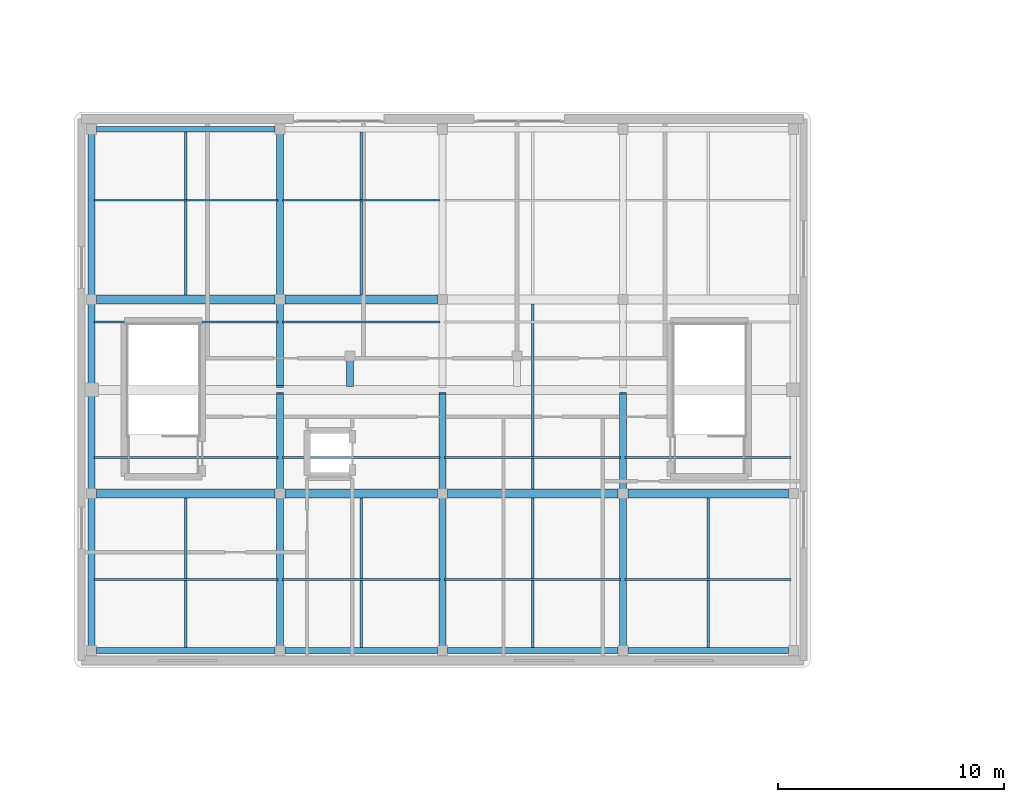
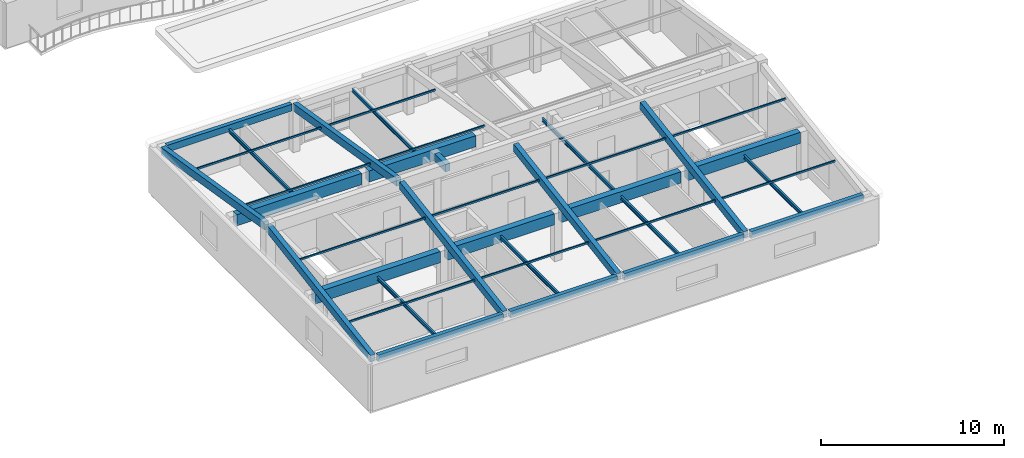
# One storey, part 4 of 128: 25 beams, 12 members.
"""IFC4 building model written with IfcOpenShell, lengths in metres."""

from ifc_helpers import new_model, si_unit, direction, frame, origin, origin_2d, place, context, subcontext, project, spatial, rectangle, hollow_rectangle, i_section, extrude, material, material_profile, profile_set, type_object, element, save


model = new_model("IFC4")

# Units and contexts
model_context = context("Model", 3, precision=1e-05, world=origin(), true_north=direction((0.0, 1.0)))
body_context = subcontext(model_context, "Body", "Model", "MODEL_VIEW")
ifc_project = project(units=[si_unit("LENGTHUNIT", "METRE"), si_unit("AREAUNIT", "SQUARE_METRE"), si_unit("VOLUMEUNIT", "CUBIC_METRE"), si_unit("PLANEANGLEUNIT", "RADIAN"), si_unit("MASSUNIT", "GRAM", prefix="KILO")], contexts=[model_context])

# Site, building, storey
site_placement = place(None, origin())
site = spatial("IfcSite", under=ifc_project, at=site_placement, CompositionType="ELEMENT")
building_placement = place(site_placement, origin())
building = spatial("IfcBuilding", under=site, at=building_placement, Name="Keldmere Railside Commons", CompositionType="ELEMENT")
storey_placement = place(building_placement, frame((0.0, 0.0, 4.159912109375)))
storey = spatial("IfcBuildingStorey", under=building, at=storey_placement, Name="L01", CompositionType="ELEMENT", Elevation=4.159912109375)

# Beams
ifc_material_1 = material(Name="Concrete H-35 (C35/45)", Category="concrete")
ifc_material_profile_1 = material_profile(ifc_material_1, rectangle(XDim=0.39990234375, YDim=0.75, at=origin_2d()), Name="RC-400x750")
ifc_profile_set_1 = profile_set([ifc_material_profile_1], Name="Concrete H-35 (C35/45)")
beam_type_1 = type_object("IfcBeamType", Name="Civic Frame RC Girder 400x750", PredefinedType="BEAM", material=ifc_profile_set_1)
beam_1_placement = place(storey_placement, frame((8.675048828125, 23.39990234375, 2.8251953125), z_axis=(1.0, 0.0, 0.0), x_axis=(0.0, 1.0, 0.0)))
element("IfcBeam", 1, at=beam_1_placement, inside=storey, type_object=beam_type_1, Name="BG-2 BM-L01-0757", PredefinedType="BEAM", context=body_context, shape_type="SweptSolid", body=[
    extrude(rectangle(XDim=0.39990234375, YDim=0.75, at=origin_2d()), origin(), (0.0, 0.0, 1.0), 7.89990234375),
])
beam_2_placement = place(storey_placement, frame((17.02490234375, 23.39990234375, 2.8251953125), z_axis=(1.0, 0.0, 0.0), x_axis=(0.0, 1.0, 0.0)))
element("IfcBeam", 2, at=beam_2_placement, inside=storey, type_object=beam_type_1, Name="BG-2 BM-L01-0758", PredefinedType="BEAM", context=body_context, shape_type="SweptSolid", body=[
    extrude(rectangle(XDim=0.39990234375, YDim=0.75, at=origin_2d()), origin(), (0.0, 0.0, 1.0), 6.75),
])
beam_3_placement = place(storey_placement, frame((24.22509765625, 23.39990234375, 2.8251953125), z_axis=(1.0, 0.0, 0.0), x_axis=(0.0, 1.0, 0.0)))
element("IfcBeam", 3, at=beam_3_placement, inside=storey, type_object=beam_type_1, Name="BG-2 BM-L01-0759", PredefinedType="BEAM", context=body_context, shape_type="SweptSolid", body=[
    extrude(rectangle(XDim=0.39990234375, YDim=0.75, at=origin_2d()), origin(), (0.0, 0.0, 1.0), 7.5498046875),
])
beam_4_placement = place(storey_placement, frame((32.22509765625, 23.39990234375, 2.8251953125), z_axis=(1.0, 0.0, 0.0), x_axis=(0.0, 1.0, 0.0)))
element("IfcBeam", 4, at=beam_4_placement, inside=storey, type_object=beam_type_1, Name="BG-2 BM-L01-0760", PredefinedType="BEAM", context=body_context, shape_type="SweptSolid", body=[
    extrude(rectangle(XDim=0.39990234375, YDim=0.75, at=origin_2d()), origin(), (0.0, 0.0, 1.0), 7.099853515625),
])
beam_5_placement = place(storey_placement, frame((8.675048828125, 32.0, 2.8251953125), z_axis=(1.0, 0.0, 0.0), x_axis=(0.0, 1.0, 0.0)))
element("IfcBeam", 5, at=beam_5_placement, inside=storey, type_object=beam_type_1, Name="BG-2 BM-L01-0766", PredefinedType="BEAM", context=body_context, shape_type="SweptSolid", body=[
    extrude(rectangle(XDim=0.39990234375, YDim=0.75, at=origin_2d()), origin(), (0.0, 0.0, 1.0), 7.89990234375),
])
beam_6_placement = place(storey_placement, frame((17.02490234375, 32.0, 2.8251953125), z_axis=(1.0, 0.0, 0.0), x_axis=(0.0, 1.0, 0.0)))
element("IfcBeam", 6, at=beam_6_placement, inside=storey, type_object=beam_type_1, Name="BG-2 BM-L01-0767", PredefinedType="BEAM", context=body_context, shape_type="SweptSolid", body=[
    extrude(rectangle(XDim=0.39990234375, YDim=0.75, at=origin_2d()), origin(), (0.0, 0.0, 1.0), 6.75),
])
ifc_material_2 = material(Name="Steel F-36 (S355)", Category="steel")
ifc_material_profile_2 = material_profile(ifc_material_2, i_section(OverallWidth=0.1201171875, OverallDepth=0.239990234375, WebThickness=0.006103515625, FlangeThickness=0.009765625, at=origin_2d()), Name="IPE-240")
ifc_profile_set_2 = profile_set([ifc_material_profile_2], Name="Steel F-36 (S355)")
beam_type_2 = type_object("IfcBeamType", Name="Nursery & Mezzanine Steel Joist IPE240", PredefinedType="JOIST", material=ifc_profile_set_2)
for number, where, z_axis, x_axis, name in (
    (7, (12.625, 16.574951171875, 2.81005859375), (0.0, 1.0, 0.0), (-1.0, 0.0, 0.0), "JST-2 BM-L01-0986"),
    (8, (20.39990234375, 16.574951171875, 2.81005859375), (0.0, 1.0, 0.0), (-1.0, 0.0, 0.0), "JST-2 BM-L01-0987"),
    (9, (28.0, 16.574951171875, 2.81005859375), (0.0, 1.0, 0.0), (-1.0, 0.0, 0.0), "JST-2 BM-L01-0988"),
    (10, (35.77490234375, 16.574951171875, 2.81005859375), (0.0, 1.0, 0.0), (-1.0, 0.0, 0.0), "JST-2 BM-L01-0989"),
):
    element("IfcBeam", number, at=place(storey_placement, frame(where, z_axis=z_axis, x_axis=x_axis)), inside=storey, type_object=beam_type_2, Name=name, PredefinedType="JOIST", context=body_context, shape_type="SweptSolid", body=[
        extrude(i_section(OverallWidth=0.1201171875, OverallDepth=0.239990234375, WebThickness=0.006103515625, FlangeThickness=0.009765625, at=origin_2d()), origin(), (0.0, 0.0, 1.0), 6.625),
    ])
beam_7_placement = place(storey_placement, frame((28.0, 23.60009765625, 2.81005859375), z_axis=(0.0, 1.0, 0.0), x_axis=(-1.0, 0.0, 0.0)))
element("IfcBeam", 11, at=beam_7_placement, inside=storey, type_object=beam_type_2, Name="JST-2 BM-L01-0990", PredefinedType="JOIST", context=body_context, shape_type="SweptSolid", body=[
    extrude(i_section(OverallWidth=0.1201171875, OverallDepth=0.239990234375, WebThickness=0.006103515625, FlangeThickness=0.009765625, at=origin_2d()), origin(), (0.0, 0.0, 1.0), 8.199951171875),
])
for number, where, z_axis, x_axis, name in (
    (12, (12.625, 32.199951171875, 2.81005859375), (0.0, 1.0, 0.0), (-1.0, 0.0, 0.0), "JST-2 BM-L01-0996"),
    (13, (20.39990234375, 32.199951171875, 2.81005859375), (0.0, 1.0, 0.0), (-1.0, 0.0, 0.0), "JST-2 BM-L01-0997"),
):
    element("IfcBeam", number, at=place(storey_placement, frame(where, z_axis=z_axis, x_axis=x_axis)), inside=storey, type_object=beam_type_2, Name=name, PredefinedType="JOIST", context=body_context, shape_type="SweptSolid", body=[
        extrude(i_section(OverallWidth=0.1201171875, OverallDepth=0.239990234375, WebThickness=0.006103515625, FlangeThickness=0.009765625, at=origin_2d()), origin(), (0.0, 0.0, 1.0), 7.22509765625),
    ])

# Members
ifc_material_3 = material(Name="Steel F-24 (S235)", Category="steel")
ifc_material_profile_3 = material_profile(ifc_material_3, hollow_rectangle(XDim=0.080078125, YDim=0.1201171875, WallThickness=0.006103515625, at=origin_2d()), Name="RHS-120x80x6")
ifc_profile_set_3 = profile_set([ifc_material_profile_3], Name="Steel F-24 (S235)")
member_type = type_object("IfcMemberType", Name="Nursery Roof Steel Purlin RHS120x80", PredefinedType="PURLIN", material=ifc_profile_set_3)
member_1_placement = place(storey_placement, frame((8.550048828125, 19.60009765625, 3.440185546875), z_axis=(1.0, 0.0, 0.0), x_axis=(0.0, 1.0, 0.0)))
element("IfcMember", 14, at=member_1_placement, inside=storey, type_object=member_type, Name="PUR-1 MEM-PUR-022", PredefinedType="PURLIN", context=body_context, shape_type="SweptSolid", body=[
    extrude(hollow_rectangle(XDim=0.080078125, YDim=0.1201171875, WallThickness=0.006103515625, at=origin_2d()), origin(), (0.0, 0.0, 1.0), 8.14990234375),
])
member_2_placement = place(storey_placement, frame((16.89990234375, 19.60009765625, 3.440185546875), z_axis=(1.0, 0.0, 0.0), x_axis=(0.0, 1.0, 0.0)))
element("IfcMember", 15, at=member_2_placement, inside=storey, type_object=member_type, Name="PUR-1 MEM-PUR-023", PredefinedType="PURLIN", context=body_context, shape_type="SweptSolid", body=[
    extrude(hollow_rectangle(XDim=0.080078125, YDim=0.1201171875, WallThickness=0.006103515625, at=origin_2d()), origin(), (0.0, 0.0, 1.0), 7.0),
])
member_3_placement = place(storey_placement, frame((24.10009765625, 19.60009765625, 3.440185546875), z_axis=(1.0, 0.0, 0.0), x_axis=(0.0, 1.0, 0.0)))
element("IfcMember", 16, at=member_3_placement, inside=storey, type_object=member_type, Name="PUR-1 MEM-PUR-024", PredefinedType="PURLIN", context=body_context, shape_type="SweptSolid", body=[
    extrude(hollow_rectangle(XDim=0.080078125, YDim=0.1201171875, WallThickness=0.006103515625, at=origin_2d()), origin(), (0.0, 0.0, 1.0), 7.7998046875),
])
member_4_placement = place(storey_placement, frame((32.10009765625, 19.60009765625, 3.440185546875), z_axis=(1.0, 0.0, 0.0), x_axis=(0.0, 1.0, 0.0)))
element("IfcMember", 17, at=member_4_placement, inside=storey, type_object=member_type, Name="PUR-1 MEM-PUR-025", PredefinedType="PURLIN", context=body_context, shape_type="SweptSolid", body=[
    extrude(hollow_rectangle(XDim=0.080078125, YDim=0.1201171875, WallThickness=0.006103515625, at=origin_2d()), origin(), (0.0, 0.0, 1.0), 7.349853515625),
])
member_5_placement = place(storey_placement, frame((8.550048828125, 25.0, 4.320068359375), z_axis=(1.0, 0.0, 0.0), x_axis=(0.0, 1.0, 0.0)))
element("IfcMember", 18, at=member_5_placement, inside=storey, type_object=member_type, Name="PUR-1 MEM-PUR-026", PredefinedType="PURLIN", context=body_context, shape_type="SweptSolid", body=[
    extrude(hollow_rectangle(XDim=0.080078125, YDim=0.1201171875, WallThickness=0.006103515625, at=origin_2d()), origin(), (0.0, 0.0, 1.0), 8.14990234375),
])
member_6_placement = place(storey_placement, frame((16.89990234375, 25.0, 4.320068359375), z_axis=(1.0, 0.0, 0.0), x_axis=(0.0, 1.0, 0.0)))
element("IfcMember", 19, at=member_6_placement, inside=storey, type_object=member_type, Name="PUR-1 MEM-PUR-027", PredefinedType="PURLIN", context=body_context, shape_type="SweptSolid", body=[
    extrude(hollow_rectangle(XDim=0.080078125, YDim=0.1201171875, WallThickness=0.006103515625, at=origin_2d()), origin(), (0.0, 0.0, 1.0), 7.0),
])
member_7_placement = place(storey_placement, frame((24.10009765625, 25.0, 4.320068359375), z_axis=(1.0, 0.0, 0.0), x_axis=(0.0, 1.0, 0.0)))
element("IfcMember", 20, at=member_7_placement, inside=storey, type_object=member_type, Name="PUR-1 MEM-PUR-028", PredefinedType="PURLIN", context=body_context, shape_type="SweptSolid", body=[
    extrude(hollow_rectangle(XDim=0.080078125, YDim=0.1201171875, WallThickness=0.006103515625, at=origin_2d()), origin(), (0.0, 0.0, 1.0), 7.7998046875),
])
member_8_placement = place(storey_placement, frame((32.10009765625, 25.0, 4.320068359375), z_axis=(1.0, 0.0, 0.0), x_axis=(0.0, 1.0, 0.0)))
element("IfcMember", 21, at=member_8_placement, inside=storey, type_object=member_type, Name="PUR-1 MEM-PUR-029", PredefinedType="PURLIN", context=body_context, shape_type="SweptSolid", body=[
    extrude(hollow_rectangle(XDim=0.080078125, YDim=0.1201171875, WallThickness=0.006103515625, at=origin_2d()), origin(), (0.0, 0.0, 1.0), 7.349853515625),
])
member_9_placement = place(storey_placement, frame((8.550048828125, 31.0, 4.320068359375), z_axis=(1.0, 0.0, 0.0), x_axis=(0.0, 1.0, 0.0)))
element("IfcMember", 22, at=member_9_placement, inside=storey, type_object=member_type, Name="PUR-1 MEM-PUR-030", PredefinedType="PURLIN", context=body_context, shape_type="SweptSolid", body=[
    extrude(hollow_rectangle(XDim=0.080078125, YDim=0.1201171875, WallThickness=0.006103515625, at=origin_2d()), origin(), (0.0, 0.0, 1.0), 8.14990234375),
])
member_10_placement = place(storey_placement, frame((16.89990234375, 31.0, 4.320068359375), z_axis=(1.0, 0.0, 0.0), x_axis=(0.0, 1.0, 0.0)))
element("IfcMember", 23, at=member_10_placement, inside=storey, type_object=member_type, Name="PUR-1 MEM-PUR-031", PredefinedType="PURLIN", context=body_context, shape_type="SweptSolid", body=[
    extrude(hollow_rectangle(XDim=0.080078125, YDim=0.1201171875, WallThickness=0.006103515625, at=origin_2d()), origin(), (0.0, 0.0, 1.0), 7.0),
])
member_11_placement = place(storey_placement, frame((8.550048828125, 36.39990234375, 3.440185546875), z_axis=(1.0, 0.0, 0.0), x_axis=(0.0, 1.0, 0.0)))
element("IfcMember", 24, at=member_11_placement, inside=storey, type_object=member_type, Name="PUR-1 MEM-PUR-034", PredefinedType="PURLIN", context=body_context, shape_type="SweptSolid", body=[
    extrude(hollow_rectangle(XDim=0.080078125, YDim=0.1201171875, WallThickness=0.006103515625, at=origin_2d()), origin(), (0.0, 0.0, 1.0), 8.14990234375),
])
member_12_placement = place(storey_placement, frame((16.89990234375, 36.39990234375, 3.440185546875), z_axis=(1.0, 0.0, 0.0), x_axis=(0.0, 1.0, 0.0)))
element("IfcMember", 25, at=member_12_placement, inside=storey, type_object=member_type, Name="PUR-1 MEM-PUR-035", PredefinedType="PURLIN", context=body_context, shape_type="SweptSolid", body=[
    extrude(hollow_rectangle(XDim=0.080078125, YDim=0.1201171875, WallThickness=0.006103515625, at=origin_2d()), origin(), (0.0, 0.0, 1.0), 7.0),
])

# Beams
ifc_material_4 = material(Name="Architectural Precast Concrete H-35 (C35/45)", Category="concrete")
ifc_material_profile_4 = material_profile(ifc_material_4, rectangle(XDim=0.25, YDim=0.449951171875, at=origin_2d()), Name="RC-250x450")
ifc_profile_set_4 = profile_set([ifc_material_profile_4], Name="Architectural Precast Concrete H-35 (C35/45)")
beam_type_3 = type_object("IfcBeamType", Name="Perimeter Precast Spandrel Beam 250x450", PredefinedType="SPANDREL", material=ifc_profile_set_4)
beam_8_placement = place(storey_placement, frame((8.675048828125, 16.449951171875, 2.97509765625), z_axis=(1.0, 0.0, 0.0), x_axis=(0.0, 1.0, 0.0)))
element("IfcBeam", 26, at=beam_8_placement, inside=storey, type_object=beam_type_3, Name="SPB-1 BM-L01-0749", PredefinedType="SPANDREL", context=body_context, shape_type="SweptSolid", body=[
    extrude(rectangle(XDim=0.25, YDim=0.449951171875, at=origin_2d()), origin(), (0.0, 0.0, 1.0), 7.89990234375),
])
beam_9_placement = place(storey_placement, frame((17.02490234375, 16.449951171875, 2.97509765625), z_axis=(1.0, 0.0, 0.0), x_axis=(0.0, 1.0, 0.0)))
element("IfcBeam", 27, at=beam_9_placement, inside=storey, type_object=beam_type_3, Name="SPB-1 BM-L01-0750", PredefinedType="SPANDREL", context=body_context, shape_type="SweptSolid", body=[
    extrude(rectangle(XDim=0.25, YDim=0.449951171875, at=origin_2d()), origin(), (0.0, 0.0, 1.0), 6.75),
])
beam_10_placement = place(storey_placement, frame((24.22509765625, 16.449951171875, 2.97509765625), z_axis=(1.0, 0.0, 0.0), x_axis=(0.0, 1.0, 0.0)))
element("IfcBeam", 28, at=beam_10_placement, inside=storey, type_object=beam_type_3, Name="SPB-1 BM-L01-0751", PredefinedType="SPANDREL", context=body_context, shape_type="SweptSolid", body=[
    extrude(rectangle(XDim=0.25, YDim=0.449951171875, at=origin_2d()), origin(), (0.0, 0.0, 1.0), 7.5498046875),
])
beam_11_placement = place(storey_placement, frame((32.22509765625, 16.449951171875, 2.97509765625), z_axis=(1.0, 0.0, 0.0), x_axis=(0.0, 1.0, 0.0)))
element("IfcBeam", 29, at=beam_11_placement, inside=storey, type_object=beam_type_3, Name="SPB-1 BM-L01-0752", PredefinedType="SPANDREL", context=body_context, shape_type="SweptSolid", body=[
    extrude(rectangle(XDim=0.25, YDim=0.449951171875, at=origin_2d()), origin(), (0.0, 0.0, 1.0), 7.099853515625),
])
beam_12_placement = place(storey_placement, frame((8.675048828125, 39.550048828125, 2.97509765625), z_axis=(1.0, 0.0, 0.0), x_axis=(0.0, 1.0, 0.0)))
element("IfcBeam", 30, at=beam_12_placement, inside=storey, type_object=beam_type_3, Name="SPB-1 BM-L01-0770", PredefinedType="SPANDREL", context=body_context, shape_type="SweptSolid", body=[
    extrude(rectangle(XDim=0.25, YDim=0.449951171875, at=origin_2d()), origin(), (0.0, 0.0, 1.0), 7.89990234375),
])
ifc_material_5 = material(Name="Concrete H-30 (C30/37)", Category="concrete")
ifc_material_profile_5 = material_profile(ifc_material_5, rectangle(XDim=0.300048828125, YDim=0.5, at=origin_2d()), Name="RC-300x500")
ifc_profile_set_5 = profile_set([ifc_material_profile_5], Name="Concrete H-30 (C30/37)")
beam_type_4 = type_object("IfcBeamType", Name="Secondary Frame RC Beam 300x500", PredefinedType="BEAM", material=ifc_profile_set_5)
beam_13_placement = place(storey_placement, frame((19.89990234375, 28.14990234375, 4.64013671875), z_axis=(0.0, 1.0, 0.0), x_axis=(-1.0, 0.0, 0.0)))
element("IfcBeam", 31, at=beam_13_placement, inside=storey, type_object=beam_type_4, Name="BG-5 BM-L01-2658", PredefinedType="BEAM", context=body_context, shape_type="SweptSolid", body=[
    extrude(rectangle(XDim=0.300048828125, YDim=0.5, at=origin_2d()), origin(), (0.0, 0.0, 1.0), 1.2001953125),
])
for number, where, z_axis, x_axis, name in (
    (32, (8.449951171875, 16.550048828125, 2.9501953125), (0.0, 0.987003101327, 0.160701207121), (-1.0, 0.0, 0.0), "BG-5 BM-L01-2660"),
    (33, (8.449951171875, 28.14990234375, 4.7900390625), (0.0, 0.987003101327, -0.160701207121), (-1.0, 0.0, 0.0), "BG-5 BM-L01-2661"),
    (34, (16.800048828125, 16.550048828125, 2.9501953125), (0.0, 0.987003101327, 0.160701207121), (-1.0, 0.0, 0.0), "BG-5 BM-L01-2662"),
    (35, (16.800048828125, 28.14990234375, 4.7900390625), (0.0, 0.987003101327, -0.160701207121), (-1.0, 0.0, 0.0), "BG-5 BM-L01-2663"),
    (36, (24.0, 16.550048828125, 2.9501953125), (0.0, 0.987003101327, 0.160701207121), (-1.0, 0.0, 0.0), "BG-5 BM-L01-2664"),
    (37, (32.0, 16.550048828125, 2.9501953125), (0.0, 0.987003101327, 0.160701207121), (-1.0, 0.0, 0.0), "BG-5 BM-L01-2666"),
):
    element("IfcBeam", number, at=place(storey_placement, frame(where, z_axis=z_axis, x_axis=x_axis)), inside=storey, type_object=beam_type_4, Name=name, PredefinedType="BEAM", context=body_context, shape_type="SweptSolid", body=[
        extrude(rectangle(XDim=0.300048828125, YDim=0.5, at=origin_2d()), origin(), (0.0, 0.0, 1.0), 11.44873046875),
    ])

save(model, "model.ifc")
